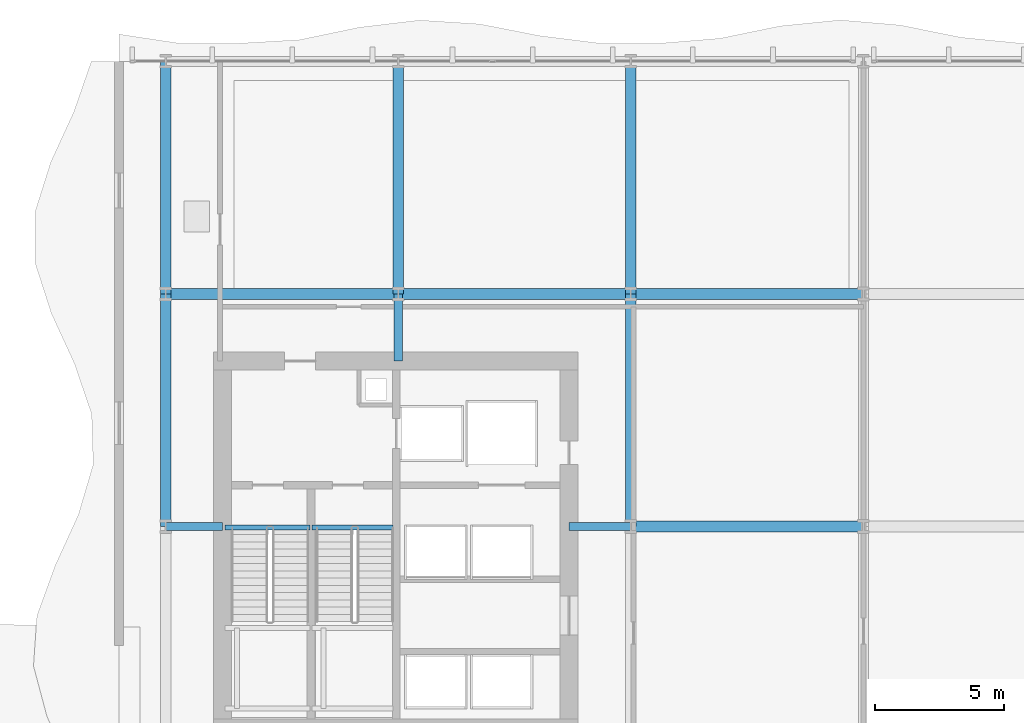
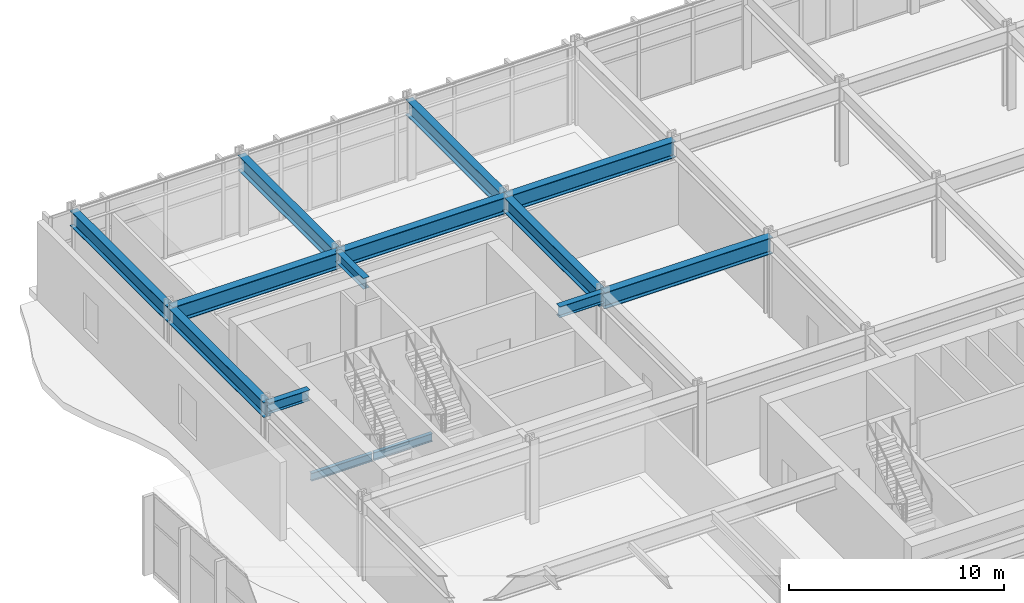
# One storey, part 12 of 29: 14 beams.
"""IFC4 building model written with IfcOpenShell, lengths in metres."""

from ifc_helpers import new_model, si_unit, direction, frame, origin, origin_2d, place, context, subcontext, project, spatial, i_section, extrude, material, material_profile, profile_set, type_object, element, save


model = new_model("IFC4")

# Units and contexts
model_context = context("Model", 3, precision=1e-05, world=origin(), true_north=direction((0.0, 1.0)))
body_context = subcontext(model_context, "Body", "Model", "MODEL_VIEW")
ifc_project = project(units=[si_unit("LENGTHUNIT", "METRE"), si_unit("AREAUNIT", "SQUARE_METRE"), si_unit("VOLUMEUNIT", "CUBIC_METRE"), si_unit("PLANEANGLEUNIT", "RADIAN"), si_unit("MASSUNIT", "GRAM", prefix="KILO")], contexts=[model_context])

# Site, building, storey
site_placement = place(None, origin())
site = spatial("IfcSite", under=ifc_project, at=site_placement, CompositionType="ELEMENT")
building_placement = place(site_placement, origin())
building = spatial("IfcBuilding", under=site, at=building_placement, Name="Solvaryn Broadcast Tower", CompositionType="ELEMENT")
storey_placement = place(building_placement, frame((0.0, 0.0, 21.199951171875)))
storey = spatial("IfcBuildingStorey", under=building, at=storey_placement, Name="L04", CompositionType="ELEMENT", Elevation=21.199951171875)

# Beams
ifc_material_1 = material(Name="Steel ASTM A992 Grade 50", Category="steel")
ifc_material_profile_1 = material_profile(ifc_material_1, i_section(OverallWidth=0.323974609375, OverallDepth=0.611083984375, WebThickness=0.0126953125, FlangeThickness=0.01904296875, FilletRadius=0.014892578125, at=origin_2d()))
ifc_profile_set_1 = profile_set([ifc_material_profile_1], Name="Steel ASTM A992 Grade 50")
beam_type_1 = type_object("IfcBeamType", Name="BM-B1-W24X104", PredefinedType="BEAM", material=ifc_profile_set_1)
beam_1_placement = place(storey_placement, frame((9.0, 36.0, 4.174560546875), z_axis=(1.0, 0.0, 0.0), x_axis=(0.0, 1.0, 0.0)))
element("IfcBeam", 1, at=beam_1_placement, inside=storey, type_object=beam_type_1, Name="L04 Core Tie Beam CTW1", PredefinedType="BEAM", context=body_context, shape_type="SweptSolid", body=[
    extrude(i_section(OverallWidth=0.323974609375, OverallDepth=0.611083984375, WebThickness=0.0126953125, FlangeThickness=0.01904296875, FilletRadius=0.014892578125, at=origin_2d()), origin(), (0.0, 0.0, 1.0), 2.199951171875),
])
beam_2_placement = place(storey_placement, frame((24.60009765625, 36.0, 4.174560546875), z_axis=(1.0, 0.0, 0.0), x_axis=(0.0, 1.0, 0.0)))
element("IfcBeam", 2, at=beam_2_placement, inside=storey, type_object=beam_type_1, Name="L04 Core Tie Beam CTW2", PredefinedType="BEAM", context=body_context, shape_type="SweptSolid", body=[
    extrude(i_section(OverallWidth=0.323974609375, OverallDepth=0.611083984375, WebThickness=0.0126953125, FlangeThickness=0.01904296875, FilletRadius=0.014892578125, at=origin_2d()), origin(), (0.0, 0.0, 1.0), 2.39990234375),
])
beam_3_placement = place(storey_placement, frame((18.0, 42.39990234375, 4.174560546875), z_axis=(0.0, 1.0, 0.0), x_axis=(-1.0, 0.0, 0.0)))
element("IfcBeam", 3, at=beam_3_placement, inside=storey, type_object=beam_type_1, Name="L04 Core Tie Beam CTW3", PredefinedType="BEAM", context=body_context, shape_type="SweptSolid", body=[
    extrude(i_section(OverallWidth=0.323974609375, OverallDepth=0.611083984375, WebThickness=0.0126953125, FlangeThickness=0.01904296875, FilletRadius=0.014892578125, at=origin_2d()), origin(), (0.0, 0.0, 1.0), 2.60009765625),
])
ifc_material_2 = material(Name="Steel ASTM A992 Grade 50", Category="steel")
ifc_material_profile_2 = material_profile(ifc_material_2, i_section(OverallWidth=0.18994140625, OverallDepth=0.45703125, WebThickness=0.009033203125, FlangeThickness=0.014404296875, FilletRadius=0.011962890625, at=origin_2d()))
ifc_profile_set_2 = profile_set([ifc_material_profile_2], Name="Steel ASTM A992 Grade 50")
beam_type_2 = type_object("IfcBeamType", Name="BM-B4-W18X50", PredefinedType="BEAM", material=ifc_profile_set_2)
beam_4_placement = place(storey_placement, frame((11.300048828125, 35.9599609375, -0.54833984375), z_axis=(1.0, 0.0, 0.0), x_axis=(0.0, 1.0, 0.0)))
element("IfcBeam", 4, at=beam_4_placement, inside=storey, type_object=beam_type_2, Name="L04 ST1 Stair Well Trimmer Beam", PredefinedType="BEAM", context=body_context, shape_type="SweptSolid", body=[
    extrude(i_section(OverallWidth=0.18994140625, OverallDepth=0.45703125, WebThickness=0.009033203125, FlangeThickness=0.014404296875, FilletRadius=0.011962890625, at=origin_2d()), origin(), (0.0, 0.0, 1.0), 3.280029296875),
])
beam_5_placement = place(storey_placement, frame((14.659912109375, 35.9599609375, -0.54833984375), z_axis=(1.0, 0.0, 0.0), x_axis=(0.0, 1.0, 0.0)))
element("IfcBeam", 5, at=beam_5_placement, inside=storey, type_object=beam_type_2, Name="L04 ST2 Stair Well Trimmer Beam", PredefinedType="BEAM", context=body_context, shape_type="SweptSolid", body=[
    extrude(i_section(OverallWidth=0.18994140625, OverallDepth=0.45703125, WebThickness=0.009033203125, FlangeThickness=0.014404296875, FilletRadius=0.011962890625, at=origin_2d()), origin(), (0.0, 0.0, 1.0), 3.14013671875),
])
ifc_material_3 = material(Name="Steel ASTM A992 Grade 50", Category="steel")
ifc_material_profile_3 = material_profile(ifc_material_3, i_section(OverallWidth=0.41796875, OverallDepth=0.927001953125, WebThickness=0.019287109375, FlangeThickness=0.031982421875, FilletRadius=0.02392578125, at=origin_2d()))
ifc_profile_set_3 = profile_set([ifc_material_profile_3], Name="Steel ASTM A992 Grade 50")
beam_type_3 = type_object("IfcBeamType", Name="BM-G2-W36X231", PredefinedType="BEAM", material=ifc_profile_set_3)
for number, where, z_axis, x_axis, name in (
    (6, (27.0, 36.0, 4.0166015625), (1.0, 0.0, 0.0), (0.0, 1.0, 0.0), "L04 Primary Beam X (27-36 @ Y=36)"),
    (7, (9.0, 45.0, 4.0166015625), (1.0, 0.0, 0.0), (0.0, 1.0, 0.0), "L04 Primary Beam X (9-18 @ Y=45)"),
    (8, (18.0, 45.0, 4.0166015625), (1.0, 0.0, 0.0), (0.0, 1.0, 0.0), "L04 Primary Beam X (18-27 @ Y=45)"),
    (9, (27.0, 45.0, 4.0166015625), (1.0, 0.0, 0.0), (0.0, 1.0, 0.0), "L04 Primary Beam X (27-36 @ Y=45)"),
):
    element("IfcBeam", number, at=place(storey_placement, frame(where, z_axis=z_axis, x_axis=x_axis)), inside=storey, type_object=beam_type_3, Name=name, PredefinedType="BEAM", context=body_context, shape_type="SweptSolid", body=[
        extrude(i_section(OverallWidth=0.41796875, OverallDepth=0.927001953125, WebThickness=0.019287109375, FlangeThickness=0.031982421875, FilletRadius=0.02392578125, at=origin_2d()), origin(), (0.0, 0.0, 1.0), 9.0),
    ])
ifc_material_4 = material(Name="Steel ASTM A992 Grade 50", Category="steel")
ifc_material_profile_4 = material_profile(ifc_material_4, i_section(OverallWidth=0.39990234375, OverallDepth=0.85498046875, WebThickness=0.018310546875, FlangeThickness=0.029296875, FilletRadius=0.02001953125, at=origin_2d()))
ifc_profile_set_4 = profile_set([ifc_material_profile_4], Name="Steel ASTM A992 Grade 50")
beam_type_4 = type_object("IfcBeamType", Name="BM-G3-W33X201", PredefinedType="BEAM", material=ifc_profile_set_4)
for number, where, z_axis, x_axis, name in (
    (10, (9.0, 36.0, 4.052490234375), (0.0, 1.0, 0.0), (-1.0, 0.0, 0.0), "L04 Primary Beam Y (36-45 @ X=9)"),
    (11, (9.0, 45.0, 4.052490234375), (0.0, 1.0, 0.0), (-1.0, 0.0, 0.0), "L04 Primary Beam Y (45-54 @ X=9)"),
    (12, (18.0, 45.0, 4.052490234375), (0.0, 1.0, 0.0), (-1.0, 0.0, 0.0), "L04 Primary Beam Y (45-54 @ X=18)"),
    (13, (27.0, 36.0, 4.052490234375), (0.0, 1.0, 0.0), (-1.0, 0.0, 0.0), "L04 Primary Beam Y (36-45 @ X=27)"),
    (14, (27.0, 45.0, 4.052490234375), (0.0, 1.0, 0.0), (-1.0, 0.0, 0.0), "L04 Primary Beam Y (45-54 @ X=27)"),
):
    element("IfcBeam", number, at=place(storey_placement, frame(where, z_axis=z_axis, x_axis=x_axis)), inside=storey, type_object=beam_type_4, Name=name, PredefinedType="BEAM", context=body_context, shape_type="SweptSolid", body=[
        extrude(i_section(OverallWidth=0.39990234375, OverallDepth=0.85498046875, WebThickness=0.018310546875, FlangeThickness=0.029296875, FilletRadius=0.02001953125, at=origin_2d()), origin(), (0.0, 0.0, 1.0), 9.0),
    ])

save(model, "model.ifc")
